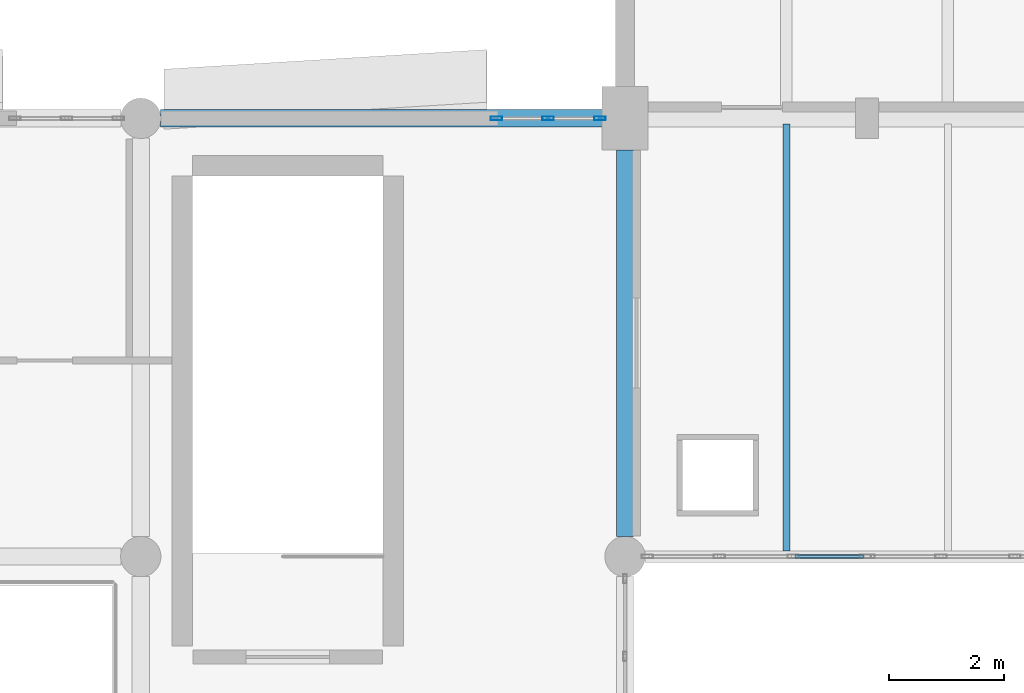
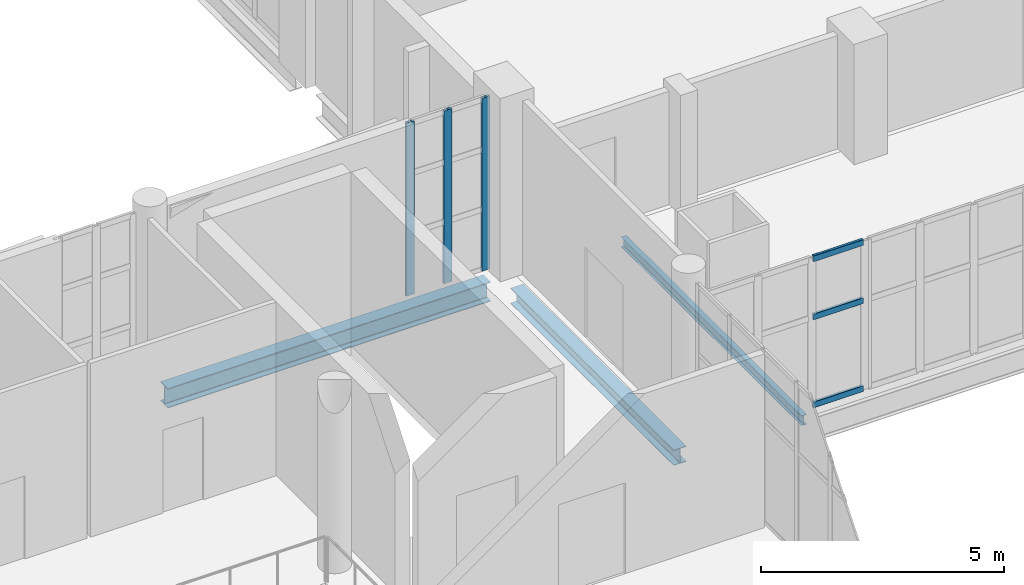
# One storey, part 28 of 74: 6 members, 3 beams, 2 elements without a shape of their own.
"""IFC4 building model written with IfcOpenShell, lengths in metres."""

from ifc_helpers import new_model, si_unit, direction, frame, origin, origin_2d, place, context, subcontext, project, spatial, hollow_rectangle, i_section, extrude, material, material_profile, profile_set, type_object, element, aggregate, save


model = new_model("IFC4")

# Units and contexts
model_context = context("Model", 3, precision=1e-05, world=origin(), true_north=direction((0.0, 1.0)))
body_context = subcontext(model_context, "Body", "Model", "MODEL_VIEW")
ifc_project = project(units=[si_unit("LENGTHUNIT", "METRE"), si_unit("AREAUNIT", "SQUARE_METRE"), si_unit("VOLUMEUNIT", "CUBIC_METRE"), si_unit("PLANEANGLEUNIT", "RADIAN"), si_unit("MASSUNIT", "GRAM", prefix="KILO")], contexts=[model_context])

# Site, building, storey
site_placement = place(None, origin())
site = spatial("IfcSite", under=ifc_project, at=site_placement, CompositionType="ELEMENT")
building_placement = place(site_placement, origin())
building = spatial("IfcBuilding", under=site, at=building_placement, Name="Shengluoqiao Park Theatre", CompositionType="ELEMENT")
storey_placement = place(building_placement, frame((0.0, 0.0, 14.60009765625)))
storey = spatial("IfcBuildingStorey", under=building, at=storey_placement, Name="L03", CompositionType="ELEMENT", Elevation=14.60009765625)

# Curtain wall, members
ifc_material_1 = material(Name="Aluminium 6063-T6", Category="aluminium")
curtain_wall_type_1 = type_object("IfcCurtainWallType", Name="ENV-CW-FOYER", PredefinedType="NOTDEFINED", material=ifc_material_1)
curtain_wall_1_placement = place(storey_placement, origin())
curtain_wall_1 = element("IfcCurtainWall", 1, at=curtain_wall_1_placement, inside=storey, type_object=curtain_wall_type_1, Name="L03 Curtain Wall CW-L03-0080", PredefinedType="NOTDEFINED")
ifc_material_profile_1 = material_profile(ifc_material_1, hollow_rectangle(XDim=0.06494140625, YDim=0.199951171875, WallThickness=0.0048828125, InnerFilletRadius=0.0048828125, OuterFilletRadius=0.010009765625, at=origin_2d()), Name="ALU MULLION 200x65x5")
ifc_profile_set_1 = profile_set([ifc_material_profile_1], Name="Aluminium 6063-T6")
member_type_1 = type_object("IfcMemberType", Name="ENV-MUL-200", PredefinedType="MULLION", material=ifc_profile_set_1)
member_1_placement = place(storey_placement, frame((42.16845703125, 76.0, 0.0), z_axis=(0.0, 0.0, 1.0), x_axis=(0.0, 1.0, 0.0)))
member_1 = element("IfcMember", 2, at=member_1_placement, type_object=member_type_1, Name="CW-01 mullion 1", PredefinedType="MULLION", context=body_context, shape_type="SweptSolid", body=[
    extrude(hollow_rectangle(XDim=0.06494140625, YDim=0.199951171875, WallThickness=0.0048828125, InnerFilletRadius=0.0048828125, OuterFilletRadius=0.010009765625, at=origin_2d()), origin(), (0.0, 0.0, 1.0), 4.33984375),
])
member_2_placement = place(storey_placement, frame((43.06591796875, 76.0, 0.0), z_axis=(0.0, 0.0, 1.0), x_axis=(0.0, 1.0, 0.0)))
member_2 = element("IfcMember", 3, at=member_2_placement, type_object=member_type_1, Name="CW-01 mullion 2", PredefinedType="MULLION", context=body_context, shape_type="SweptSolid", body=[
    extrude(hollow_rectangle(XDim=0.06494140625, YDim=0.199951171875, WallThickness=0.0048828125, InnerFilletRadius=0.0048828125, OuterFilletRadius=0.010009765625, at=origin_2d()), origin(), (0.0, 0.0, 1.0), 4.33984375),
])
member_3_placement = place(storey_placement, frame((43.96337890625, 76.0, 0.0), z_axis=(0.0, 0.0, 1.0), x_axis=(0.0, 1.0, 0.0)))
member_3 = element("IfcMember", 4, at=member_3_placement, type_object=member_type_1, Name="CW-01 mullion 3", PredefinedType="MULLION", context=body_context, shape_type="SweptSolid", body=[
    extrude(hollow_rectangle(XDim=0.06494140625, YDim=0.199951171875, WallThickness=0.0048828125, InnerFilletRadius=0.0048828125, OuterFilletRadius=0.010009765625, at=origin_2d()), origin(), (0.0, 0.0, 1.0), 4.33984375),
])
aggregate(curtain_wall_1, [member_1, member_2, member_3])

curtain_wall_type_2 = type_object("IfcCurtainWallType", Name="ENV-CW-PROM", PredefinedType="NOTDEFINED", material=ifc_material_1)
curtain_wall_2_placement = place(storey_placement, origin())
curtain_wall_2 = element("IfcCurtainWall", 5, at=curtain_wall_2_placement, inside=storey, type_object=curtain_wall_type_2, Name="L03 Curtain Wall CW-L03-0081", PredefinedType="NOTDEFINED")
ifc_material_profile_2 = material_profile(ifc_material_1, hollow_rectangle(XDim=0.06494140625, YDim=0.14990234375, WallThickness=0.00390625, InnerFilletRadius=0.00390625, OuterFilletRadius=0.008056640625, at=origin_2d()), Name="ALU TRANSOM 150x65x4")
ifc_profile_set_2 = profile_set([ifc_material_profile_2], Name="Aluminium 6063-T6")
member_type_2 = type_object("IfcMemberType", Name="ENV-TRN-150", PredefinedType="USERDEFINED", material=ifc_profile_set_2)
member_4_placement = place(storey_placement, frame((47.3505859375, 68.39990234375, 0.032470703125), z_axis=(1.0, 0.0, 0.0), x_axis=(0.0, 1.0, 0.0)))
member_4 = element("IfcMember", 6, at=member_4_placement, type_object=member_type_2, Name="CW-04 transom 3.1", ObjectType="TRANSOM", PredefinedType="USERDEFINED", context=body_context, shape_type="SweptSolid", body=[
    extrude(hollow_rectangle(XDim=0.06494140625, YDim=0.14990234375, WallThickness=0.00390625, InnerFilletRadius=0.00390625, OuterFilletRadius=0.008056640625, at=origin_2d()), origin(), (0.0, 0.0, 1.0), 1.184326171875),
])
member_5_placement = place(storey_placement, frame((47.3505859375, 68.39990234375, 2.239013671875), z_axis=(1.0, 0.0, 0.0), x_axis=(0.0, 1.0, 0.0)))
member_5 = element("IfcMember", 7, at=member_5_placement, type_object=member_type_2, Name="CW-04 transom 3.2", ObjectType="TRANSOM", PredefinedType="USERDEFINED", context=body_context, shape_type="SweptSolid", body=[
    extrude(hollow_rectangle(XDim=0.06494140625, YDim=0.14990234375, WallThickness=0.00390625, InnerFilletRadius=0.00390625, OuterFilletRadius=0.008056640625, at=origin_2d()), origin(), (0.0, 0.0, 1.0), 1.184326171875),
])
member_6_placement = place(storey_placement, frame((47.3505859375, 68.39990234375, 3.699462890625), z_axis=(1.0, 0.0, 0.0), x_axis=(0.0, 1.0, 0.0)))
member_6 = element("IfcMember", 8, at=member_6_placement, type_object=member_type_2, Name="CW-04 transom 3.3", ObjectType="TRANSOM", PredefinedType="USERDEFINED", context=body_context, shape_type="SweptSolid", body=[
    extrude(hollow_rectangle(XDim=0.06494140625, YDim=0.14990234375, WallThickness=0.00390625, InnerFilletRadius=0.00390625, OuterFilletRadius=0.008056640625, at=origin_2d()), origin(), (0.0, 0.0, 1.0), 1.184326171875),
])
aggregate(curtain_wall_2, [member_4, member_5, member_6])

# Beams
ifc_material_2 = material(Name="Steel Q355", Category="steel")
ifc_material_profile_3 = material_profile(ifc_material_2, i_section(OverallWidth=0.300048828125, OverallDepth=0.389892578125, WebThickness=0.010009765625, FlangeThickness=0.01611328125, FilletRadius=0.01806640625, at=origin_2d()), Name="HM 390x300x10x16")
ifc_profile_set_3 = profile_set([ifc_material_profile_3], Name="Steel Q355")
beam_type_1 = type_object("IfcBeamType", Name="STR-BM-G-HM390", PredefinedType="BEAM", material=ifc_profile_set_3)
beam_1_placement = place(storey_placement, frame((44.39990234375, 68.743896484375, -0.43505859375), z_axis=(0.0, 1.0, 0.0), x_axis=(-1.0, 0.0, 0.0)))
element("IfcBeam", 9, at=beam_1_placement, inside=storey, type_object=beam_type_1, Name="L03 Transverse Girder 01346", PredefinedType="BEAM", context=body_context, shape_type="SweptSolid", body=[
    extrude(i_section(OverallWidth=0.300048828125, OverallDepth=0.389892578125, WebThickness=0.010009765625, FlangeThickness=0.01611328125, FilletRadius=0.01806640625, at=origin_2d()), origin(), (0.0, 0.0, 1.0), 6.712158203125),
])
ifc_material_profile_4 = material_profile(ifc_material_2, i_section(OverallWidth=0.300048828125, OverallDepth=0.488037109375, WebThickness=0.010986328125, FlangeThickness=0.01806640625, FilletRadius=0.02197265625, at=origin_2d()), Name="HM 488x300x11x18")
ifc_profile_set_4 = profile_set([ifc_material_profile_4], Name="Steel Q355")
beam_type_2 = type_object("IfcBeamType", Name="STR-BM-G-HM488", PredefinedType="BEAM", material=ifc_profile_set_4)
beam_2_placement = place(storey_placement, frame((36.343994140625, 76.0, -0.484130859375), z_axis=(1.0, 0.0, 0.0), x_axis=(0.0, 1.0, 0.0)))
element("IfcBeam", 10, at=beam_2_placement, inside=storey, type_object=beam_type_2, Name="L03 Primary Girder 01340", PredefinedType="BEAM", context=body_context, shape_type="SweptSolid", body=[
    extrude(i_section(OverallWidth=0.300048828125, OverallDepth=0.488037109375, WebThickness=0.010986328125, FlangeThickness=0.01806640625, FilletRadius=0.02197265625, at=origin_2d()), origin(), (0.0, 0.0, 1.0), 7.662109375),
])
ifc_material_profile_5 = material_profile(ifc_material_2, i_section(OverallWidth=0.125, OverallDepth=0.25, WebThickness=0.006103515625, FlangeThickness=0.009033203125, FilletRadius=0.010009765625, at=origin_2d()), Name="HN 250x125x6x9")
ifc_profile_set_5 = profile_set([ifc_material_profile_5], Name="Steel Q355")
beam_type_3 = type_object("IfcBeamType", Name="STR-BM-J-HN250", PredefinedType="JOIST", material=ifc_profile_set_5)
beam_3_placement = place(storey_placement, frame((47.199951171875, 68.494384765625, -0.364990234375), z_axis=(0.0, 1.0, 0.0), x_axis=(-1.0, 0.0, 0.0)))
element("IfcBeam", 11, at=beam_3_placement, inside=storey, type_object=beam_type_3, Name="L03 Composite Joist 01362", PredefinedType="JOIST", context=body_context, shape_type="SweptSolid", body=[
    extrude(i_section(OverallWidth=0.125, OverallDepth=0.25, WebThickness=0.006103515625, FlangeThickness=0.009033203125, FilletRadius=0.010009765625, at=origin_2d()), origin(), (0.0, 0.0, 1.0), 7.4111328125),
])

save(model, "model.ifc")
